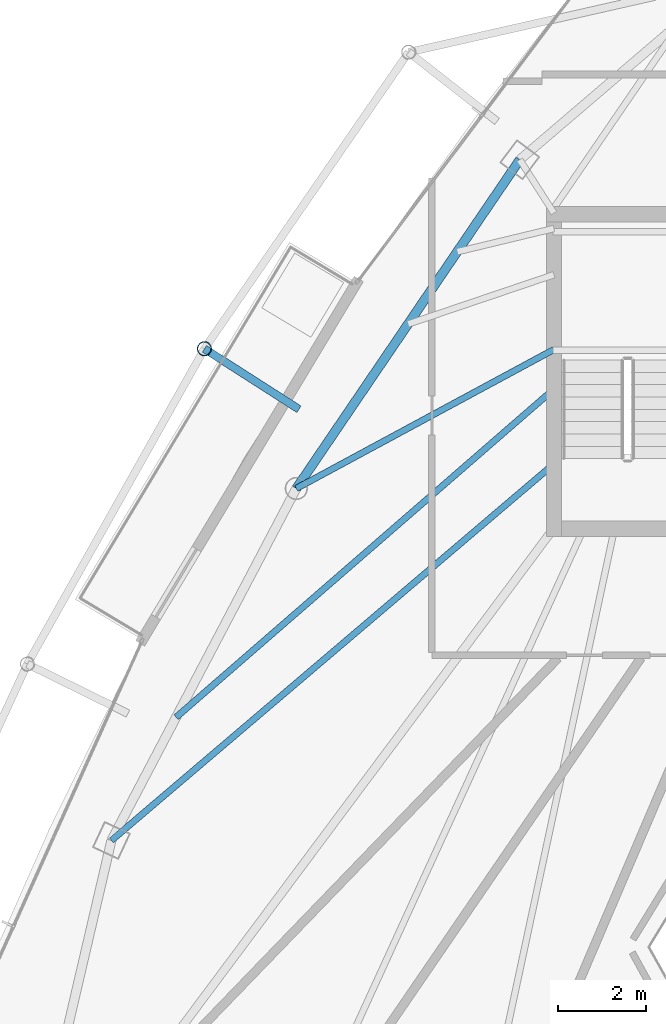
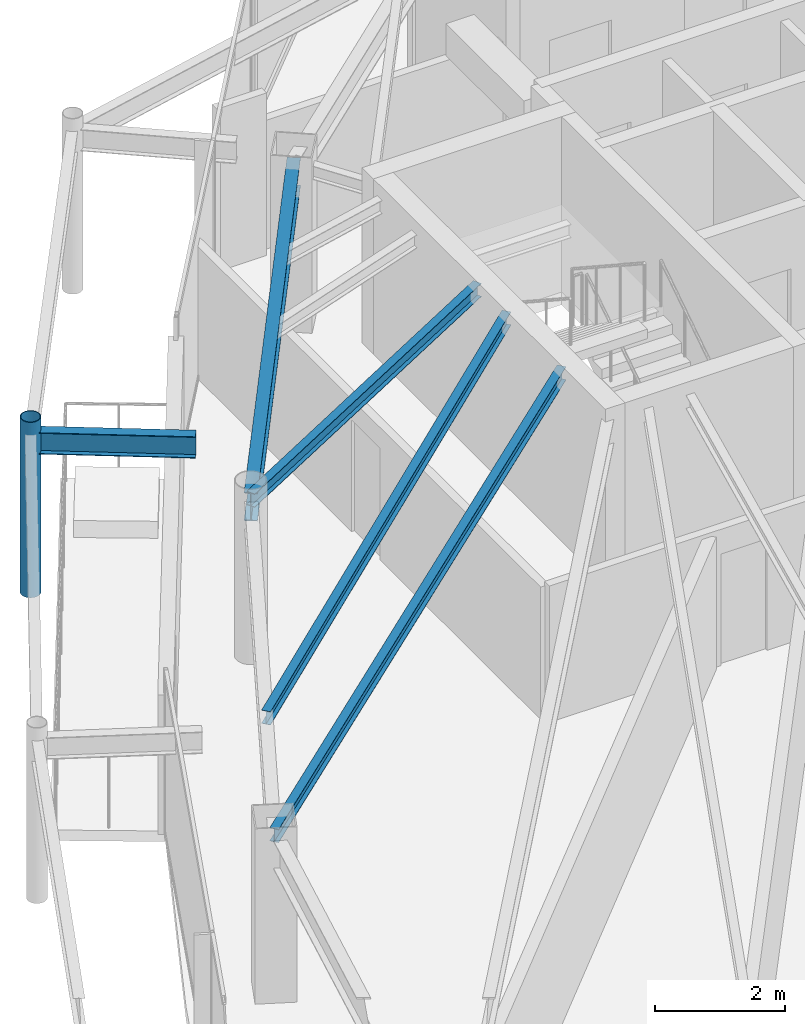
# One storey, part 11 of 28: 5 beams, 1 member.
"""IFC4 building model written with IfcOpenShell, lengths in metres."""

import ifcopenshell
import ifcopenshell.guid

model = None  # the IFC model being written
_history = None  # IfcOwnerHistory: only IFC2X3 demands one
_inside = {}  # id of a spatial element -> (the spatial element, [elements in it])
_under = {}  # id of a project, library or spatial element -> (it, [spatial elements below it])
_declared = {}  # id of a project -> (the project, [libraries it declares])
_typed = {}  # id of a type object -> (the type object, [elements of that type])
_made_of = {}  # id of a material, layer set ... -> (it, [elements and type objects made of it])


def new_model(schema):
    """Start an empty IFC model of exactly this schema.

    Asked for "IFC4X3", IfcOpenShell would pick the latest addendum, in which some entities
    have other attributes; the version numbers below select the first issue.
    IFC2X3 requires an IfcOwnerHistory on every rooted entity: one is made here for all.
    """
    global model, _history
    if schema == "IFC4X3":
        model = ifcopenshell.file(schema_version=(4, 3, 0, 0))
    else:
        model = ifcopenshell.file(schema=schema)
    _inside.clear()
    _under.clear()
    _declared.clear()
    _typed.clear()
    _made_of.clear()
    _history = None
    if model.schema == "IFC2X3":
        org = make("IfcOrganization", Name="unknown")
        user = make(
            "IfcPersonAndOrganization",
            ThePerson=make("IfcPerson", FamilyName="unknown"),
            TheOrganization=org,
        )
        app = make(
            "IfcApplication",
            ApplicationDeveloper=org,
            Version="unknown",
            ApplicationFullName="unknown",
            ApplicationIdentifier="unknown",
        )
        _history = make(
            "IfcOwnerHistory",
            OwningUser=user,
            OwningApplication=app,
            ChangeAction="ADDED",
            CreationDate=0,
        )
    return model


def make(cls, **values):
    """One entity of the class cls with the attributes given. An attribute that is None is left unset."""
    return model.create_entity(
        cls, **{name: value for name, value in values.items() if value is not None}
    )


def rooted(cls, **values):
    """An entity with a GlobalId (a new one), such as an element, a storey or a relation."""
    return make(cls, GlobalId=ifcopenshell.guid.new(), OwnerHistory=_history, **values)


def si_unit(unit_type, name, prefix=None):
    """IfcSIUnit, for example si_unit("LENGTHUNIT", "METRE", prefix="MILLI")."""
    return make("IfcSIUnit", UnitType=unit_type, Prefix=prefix, Name=name)


def assignment(units):
    """IfcUnitAssignment: the units of a project."""
    return None if units is None else make("IfcUnitAssignment", Units=units)


def point(xyz):
    """IfcCartesianPoint."""
    return None if xyz is None else make("IfcCartesianPoint", Coordinates=xyz)


def direction(xyz):
    """IfcDirection."""
    return None if xyz is None else make("IfcDirection", DirectionRatios=xyz)


def frame(location, z_axis=None, x_axis=None):
    """IfcAxis2Placement3D, a coordinate frame: its origin and axes. An axis left out is left unset."""
    return make(
        "IfcAxis2Placement3D",
        Location=point(location),
        Axis=direction(z_axis),
        RefDirection=direction(x_axis),
    )


def frame_2d(location, x_axis=None):
    """IfcAxis2Placement2D, a coordinate frame in the plane: its origin and x axis."""
    return make(
        "IfcAxis2Placement2D", Location=point(location), RefDirection=direction(x_axis)
    )


def origin():
    """The frame at (0, 0, 0) with its axes left unset."""
    return frame((0.0, 0.0, 0.0))


def origin_2d():
    """The frame at (0, 0) in the plane with its x axis left unset."""
    return frame_2d((0.0, 0.0))


def place(relative_to, where):
    """IfcLocalPlacement: puts the frame where relative to a parent placement (None: the world)."""
    return make(
        "IfcLocalPlacement", PlacementRelTo=relative_to, RelativePlacement=where
    )


def context(
    kind, dimensions, precision=None, world=None, true_north=None, identifier=None
):
    """IfcGeometricRepresentationContext, for example the 3D "Model" context."""
    return make(
        "IfcGeometricRepresentationContext",
        ContextIdentifier=identifier,
        ContextType=kind,
        CoordinateSpaceDimension=dimensions,
        Precision=precision,
        WorldCoordinateSystem=world,
        TrueNorth=true_north,
    )


def subcontext(parent, identifier, kind, view, scale=None):
    """IfcGeometricRepresentationSubContext, for example "Body" below "Model"."""
    return make(
        "IfcGeometricRepresentationSubContext",
        ContextIdentifier=identifier,
        ContextType=kind,
        ParentContext=parent,
        TargetScale=scale,
        TargetView=view,
    )


def project(units=None, contexts=None):
    """IfcProject with its units and contexts."""
    return rooted(
        "IfcProject",
        Name="project",
        RepresentationContexts=contexts,
        UnitsInContext=assignment(units),
    )


def spatial(cls, under=None, at=None, **own):
    """A site, building, storey or space (cls), placed at a placement, below another one or the project."""
    s = rooted(cls, ObjectPlacement=at, **own)
    if under is not None:
        _under.setdefault(under.id(), (under, []))[1].append(s)
    return s


def profile(cls, at=None, kind="AREA", **sizes):
    """A parametric profile (cls). Its sizes go by their IFC names, for example OverallWidth=200.0."""
    return make(cls, ProfileType=kind, Position=at, **sizes)


def hollow_circle(**sizes):
    """IfcCircleHollowProfileDef."""
    return profile("IfcCircleHollowProfileDef", **sizes)


def i_section(**sizes):
    """IfcIShapeProfileDef."""
    return profile("IfcIShapeProfileDef", **sizes)


def extrude(swept, where, along, depth):
    """IfcExtrudedAreaSolid: the profile swept, set in the frame where, extruded along a direction by depth."""
    return make(
        "IfcExtrudedAreaSolid",
        SweptArea=swept,
        Position=where,
        ExtrudedDirection=direction(along),
        Depth=depth,
    )


def shape(context_of_items, identifier, shape_type, items):
    """IfcShapeRepresentation: the items that make up one representation, for example the "Body"."""
    return make(
        "IfcShapeRepresentation",
        ContextOfItems=context_of_items,
        RepresentationIdentifier=identifier,
        RepresentationType=shape_type,
        Items=items,
    )


def material(Name=None, Category=None):
    """IfcMaterial."""
    return make("IfcMaterial", Name=Name, Category=Category)


def material_profile(
    of_material, cross_section, Name=None, Category=None, Priority=None
):
    """IfcMaterialProfile: a cross section and its material."""
    return make(
        "IfcMaterialProfile",
        Name=Name,
        Material=of_material,
        Profile=cross_section,
        Priority=Priority,
        Category=Category,
    )


def profile_set(profiles, Name=None, composite=None):
    """IfcMaterialProfileSet."""
    return make(
        "IfcMaterialProfileSet",
        Name=Name,
        MaterialProfiles=profiles,
        CompositeProfile=composite,
    )


def made_of(thing, what):
    """Note that an element or type object is made of a material, layer set ...; save() writes the relation."""
    if what is not None:
        _made_of.setdefault(what.id(), (what, []))[1].append(thing)
    return thing


def type_object(cls, material=None, **own):
    """A type object (cls), such as IfcWallType, which elements share."""
    return made_of(rooted(cls, **own), material)


def element(
    cls,
    number,
    at=None,
    inside=None,
    cuts=None,
    type_object=None,
    material=None,
    context=None,
    identifier="Body",
    shape_type=None,
    held_by="IfcProductDefinitionShape",
    body=None,
    shapes=None,
    **own,
):
    """One element of the class cls, such as IfcWall. Its Tag is "e" and its number.

    at: its placement. inside: the storey or other place that contains it. cuts: it is an
    opening in that element (IfcRelVoidsElement). A single representation is given by context,
    identifier, shape_type and body (its items); several are given by shapes. held_by: the class
    of the entity that holds the representations. save() writes the other relations.
    """
    e = rooted(cls, Tag="e%d" % number, ObjectPlacement=at, **own)
    if body is not None:
        shapes = [shape(context, identifier, shape_type, body)]
    if shapes is not None:
        e.Representation = make(held_by, Representations=shapes)
    if inside is not None:
        _inside.setdefault(inside.id(), (inside, []))[1].append(e)
    if cuts is not None:
        rooted(
            "IfcRelVoidsElement", RelatingBuildingElement=cuts, RelatedOpeningElement=e
        )
    if type_object is not None:
        _typed.setdefault(type_object.id(), (type_object, []))[1].append(e)
    return made_of(e, material)


def aggregate(whole, parts):
    """IfcRelAggregates: a whole, such as a stair, and the parts it consists of."""
    return rooted("IfcRelAggregates", RelatingObject=whole, RelatedObjects=parts)


def save(model, path):
    """Write the relations noted so far, then the file.

    IfcRelAggregates (storeys below a building ...), IfcRelContainedInSpatialStructure (elements
    in a storey), IfcRelDefinesByType, IfcRelAssociatesMaterial and IfcRelDeclares: one each for
    every whole, place, type object, material and project.
    """
    for whole, parts in _under.values():
        aggregate(whole, parts)
    for where, things in _inside.values():
        rooted(
            "IfcRelContainedInSpatialStructure",
            RelatedElements=things,
            RelatingStructure=where,
        )
    for kind, things in _typed.values():
        rooted("IfcRelDefinesByType", RelatedObjects=things, RelatingType=kind)
    for what, things in _made_of.values():
        rooted("IfcRelAssociatesMaterial", RelatedObjects=things, RelatingMaterial=what)
    for by, libraries in _declared.values():
        rooted("IfcRelDeclares", RelatingContext=by, RelatedDefinitions=libraries)
    model.write(path)


model = new_model("IFC4")

# Units and contexts
model_context = context("Model", 3, precision=1e-05, world=origin(), true_north=direction((0.0, 1.0)))
body_context = subcontext(model_context, "Body", "Model", "MODEL_VIEW")
ifc_project = project(units=[si_unit("LENGTHUNIT", "METRE"), si_unit("AREAUNIT", "SQUARE_METRE"), si_unit("VOLUMEUNIT", "CUBIC_METRE"), si_unit("PLANEANGLEUNIT", "RADIAN"), si_unit("MASSUNIT", "GRAM", prefix="KILO")], contexts=[model_context])

# Site, building, storey
site_placement = place(None, origin())
site = spatial("IfcSite", under=ifc_project, at=site_placement, CompositionType="ELEMENT")
building_placement = place(site_placement, origin())
building = spatial("IfcBuilding", under=site, at=building_placement, Name="Orvanel Arch Residences", CompositionType="ELEMENT")
storey_placement = place(building_placement, frame((0.0, 0.0, 263.449951171875)))
storey = spatial("IfcBuildingStorey", under=building, at=storey_placement, Name="L75", CompositionType="ELEMENT", Elevation=263.449951171875)

# Beams
ifc_material_1 = material(Name="Structural steel AS/NZS 3679.1 Grade 300 (300 MPa)", Category="steel")
ifc_material_profile_1 = material_profile(ifc_material_1, i_section(OverallWidth=0.14599609375, OverallDepth=0.251953125, WebThickness=0.006103515625, FlangeThickness=0.008544921875, at=origin_2d()), Name="250UB31.4")
ifc_profile_set_1 = profile_set([ifc_material_profile_1], Name="Structural steel AS/NZS 3679.1 Grade 300 (300 MPa)")
beam_type_1 = type_object("IfcBeamType", Name="BJ-250UB", PredefinedType="JOIST", material=ifc_profile_set_1)
beam_1_placement = place(storey_placement, frame((26.425048828125, 30.800048828125, 2.93408203125), z_axis=(-0.880111494021, -0.474767056664, 0.0), x_axis=(0.474767056664, -0.880111494021, 0.0)))
element("IfcBeam", 1, at=beam_1_placement, inside=storey, type_object=beam_type_1, Name="L75 NW Wing Floor Joist", PredefinedType="JOIST", context=body_context, shape_type="SweptSolid", body=[
    extrude(i_section(OverallWidth=0.14599609375, OverallDepth=0.251953125, WebThickness=0.006103515625, FlangeThickness=0.008544921875, at=origin_2d()), origin(), (0.0, 0.0, 1.0), 6.653564453125),
])
beam_2_placement = place(storey_placement, frame((26.425048828125, 28.199951171875, 2.93408203125), z_axis=(-0.761622669031, -0.64802076357, 0.0), x_axis=(0.64802076357, -0.761622669031, 0.0)))
element("IfcBeam", 2, at=beam_2_placement, inside=storey, type_object=beam_type_1, Name="L75 W Wing Floor Joist", PredefinedType="JOIST", context=body_context, shape_type="SweptSolid", body=[
    extrude(i_section(OverallWidth=0.14599609375, OverallDepth=0.251953125, WebThickness=0.006103515625, FlangeThickness=0.008544921875, at=origin_2d()), origin(), (0.0, 0.0, 1.0), 13.2060546875),
])
beam_3_placement = place(storey_placement, frame((26.425048828125, 29.89990234375, 2.93408203125), z_axis=(-0.755000957585, -0.655723687269, 0.0), x_axis=(0.655723687269, -0.755000957585, 0.0)))
element("IfcBeam", 3, at=beam_3_placement, inside=storey, type_object=beam_type_1, Name="L75 CTW Wing Floor Joist", PredefinedType="JOIST", context=body_context, shape_type="SweptSolid", body=[
    extrude(i_section(OverallWidth=0.14599609375, OverallDepth=0.251953125, WebThickness=0.006103515625, FlangeThickness=0.008544921875, at=origin_2d()), origin(), (0.0, 0.0, 1.0), 11.373779296875),
])
ifc_material_profile_2 = material_profile(ifc_material_1, i_section(OverallWidth=0.177978515625, OverallDepth=0.406005859375, WebThickness=0.0078125, FlangeThickness=0.0126953125, at=origin_2d()), Name="410UB59.7")
ifc_profile_set_2 = profile_set([ifc_material_profile_2], Name="Structural steel AS/NZS 3679.1 Grade 300 (300 MPa)")
beam_type_2 = type_object("IfcBeamType", Name="OB-410UB-EXT", PredefinedType="SPANDREL", material=ifc_profile_set_2)
beam_4_placement = place(storey_placement, frame((20.62890625, 29.44189453125, 2.85693359375), z_axis=(-0.84221576305, 0.539140620311, 0.0), x_axis=(-0.539140620311, -0.84221576305, 0.0)))
element("IfcBeam", 4, at=beam_4_placement, inside=storey, type_object=beam_type_2, Name="L75 Outer Frame Radial Tie Beam 02", PredefinedType="SPANDREL", context=body_context, shape_type="SweptSolid", body=[
    extrude(i_section(OverallWidth=0.177978515625, OverallDepth=0.406005859375, WebThickness=0.0078125, FlangeThickness=0.0126953125, at=origin_2d()), origin(), (0.0, 0.0, 1.0), 2.55029296875),
])
ifc_material_profile_3 = material_profile(ifc_material_1, i_section(OverallWidth=0.208984375, OverallDepth=0.532958984375, WebThickness=0.01025390625, FlangeThickness=0.015625, at=origin_2d()), Name="530UB92.4")
ifc_profile_set_3 = profile_set([ifc_material_profile_3], Name="Structural steel AS/NZS 3679.1 Grade 300 (300 MPa)")
beam_type_3 = type_object("IfcBeamType", Name="SP-530UB", PredefinedType="SPANDREL", material=ifc_profile_set_3)
beam_5_placement = place(storey_placement, frame((25.64794921875, 35.113037109375, 2.79296875), z_axis=(-0.562154793153, -0.827032035978, 0.0), x_axis=(0.827032035978, -0.562154793153, 0.0)))
element("IfcBeam", 5, at=beam_5_placement, inside=storey, type_object=beam_type_3, Name="L75 Perimeter Spandrel Beam 11", PredefinedType="SPANDREL", context=body_context, shape_type="SweptSolid", body=[
    extrude(i_section(OverallWidth=0.208984375, OverallDepth=0.532958984375, WebThickness=0.01025390625, FlangeThickness=0.015625, at=origin_2d()), origin(), (0.0, 0.0, 1.0), 9.03466796875),
])

# Member
ifc_material_2 = material(Name="Structural steel AS/NZS 1163 C350L0 (Grade 350)", Category="steel")
ifc_material_profile_4 = material_profile(ifc_material_2, hollow_circle(Radius=0.162109375, WallThickness=0.0126953125, at=origin_2d()), Name="CHS324x12.7")
ifc_profile_set_4 = profile_set([ifc_material_profile_4], Name="Structural steel AS/NZS 1163 C350L0 (Grade 350)")
member_type = type_object("IfcMemberType", Name="ST-324CHS-EXT", PredefinedType="STRUT", material=ifc_profile_set_4)
member_placement = place(storey_placement, frame((18.48095703125, 30.81689453125, 0.0), z_axis=(0.0, 0.0, 1.0), x_axis=(1.0, 0.0, 0.0)))
element("IfcMember", 6, at=member_placement, inside=storey, type_object=member_type, Name="L75 Outer Perimeter Frame Post 02", PredefinedType="STRUT", context=body_context, shape_type="SweptSolid", body=[
    extrude(hollow_circle(Radius=0.162109375, WallThickness=0.0126953125, at=origin_2d()), origin(), (0.0, 0.0, 1.0), 3.300048828125),
])

save(model, "model.ifc")
